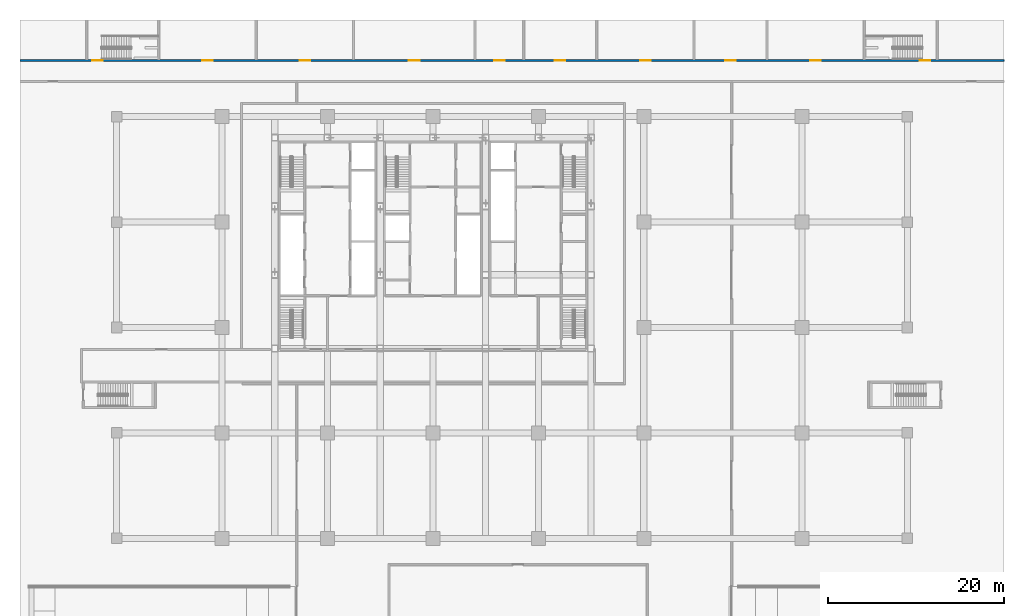
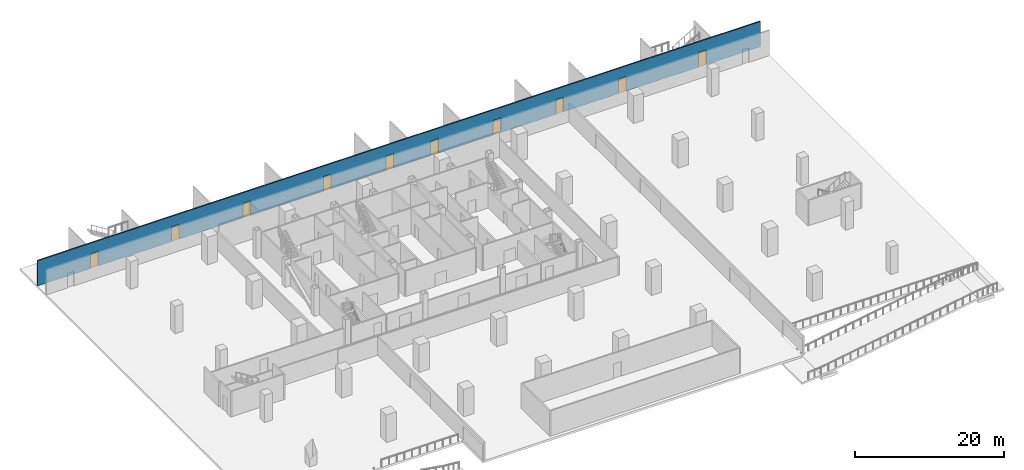
# One storey, part 9 of 15: 10 doors, 1 wall, 10 openings.
"""IFC4 building model written with IfcOpenShell, lengths in metres."""

from ifc_helpers import new_model, si_unit, direction, frame, frame_2d, origin, place, context, subcontext, project, spatial, rectangle, extrude, material, layer, layer_set, type_object, element, fill, save


model = new_model("IFC4")

# Units and contexts
model_context = context("Model", 3, precision=1e-05, world=origin(), true_north=direction((0.0, 1.0)))
body_context = subcontext(model_context, "Body", "Model", "MODEL_VIEW")
ifc_project = project(units=[si_unit("LENGTHUNIT", "METRE"), si_unit("AREAUNIT", "SQUARE_METRE"), si_unit("VOLUMEUNIT", "CUBIC_METRE"), si_unit("PLANEANGLEUNIT", "RADIAN"), si_unit("MASSUNIT", "GRAM", prefix="KILO")], contexts=[model_context])

# Site, building, storey
site_placement = place(None, origin())
site = spatial("IfcSite", under=ifc_project, at=site_placement, CompositionType="ELEMENT")
building_placement = place(site_placement, origin())
building = spatial("IfcBuilding", under=site, at=building_placement, Name="Sorahane Residences", CompositionType="ELEMENT")
storey_placement = place(building_placement, frame((0.0, 0.0, -9.0)))
storey = spatial("IfcBuildingStorey", under=building, at=storey_placement, Name="B2", CompositionType="ELEMENT", Elevation=-9.0)

# Wall, openings, doors
ifc_material_1 = material(Name="Concrete blockwork C20 wall", Category="masonry")
ifc_layer = layer(ifc_material_1, 0.199951171875)
ifc_layer_set = layer_set([ifc_layer], Name="Fire wall 200 EI 120")
wall_type = type_object("IfcWallType", Name="Fire wall 200 EI 120", PredefinedType="SOLIDWALL", material=ifc_layer_set)
wall_placement = place(storey_placement, frame((-23.0, 54.39990234375, 0.0), z_axis=(0.0, 0.0, 1.0), x_axis=(1.0, 0.0, 0.0)))
wall = element("IfcWall", 1, at=wall_placement, inside=storey, type_object=wall_type, Name="B2 fire wall", PredefinedType="SOLIDWALL", context=body_context, shape_type="SweptSolid", body=[
    extrude(rectangle(XDim=112.0, YDim=0.199951171875, at=frame_2d((56.0, 0.0))), origin(), (0.0, 0.0, 1.0), 4.139892578125),
])
opening_1_placement = place(wall_placement, frame((20.73779296875, 0.0, 0.0)))
opening_1 = element("IfcOpeningElement", 2, at=opening_1_placement, cuts=wall, Name="Opening B2-01", PredefinedType="OPENING", context=body_context, shape_type="SweptSolid", body=[
    extrude(rectangle(XDim=1.199951171875, YDim=2.39990234375, at=frame_2d((0.60009765625, 1.199951171875))), frame((0.0, 0.10986328125, 0.0), z_axis=(0.0, -1.0, 0.0), x_axis=(1.0, 0.0, 0.0)), (0.0, 0.0, 1.0), 0.219970703125),
])
opening_2_placement = place(wall_placement, frame((31.813720703125, 0.0, 0.0)))
opening_2 = element("IfcOpeningElement", 3, at=opening_2_placement, cuts=wall, Name="Opening B2-02", PredefinedType="OPENING", context=body_context, shape_type="SweptSolid", body=[
    extrude(rectangle(XDim=1.199951171875, YDim=2.39990234375, at=frame_2d((0.60009765625, 1.199951171875))), frame((0.0, 0.10986328125, 0.0), z_axis=(0.0, -1.0, 0.0), x_axis=(1.0, 0.0, 0.0)), (0.0, 0.0, 1.0), 0.219970703125),
])
opening_3_placement = place(wall_placement, frame((44.274169921875, 0.0, 0.0)))
opening_3 = element("IfcOpeningElement", 4, at=opening_3_placement, cuts=wall, Name="Opening B2-03", PredefinedType="OPENING", context=body_context, shape_type="SweptSolid", body=[
    extrude(rectangle(XDim=1.199951171875, YDim=2.39990234375, at=frame_2d((0.60009765625, 1.199951171875))), frame((0.0, 0.10986328125, 0.0), z_axis=(0.0, -1.0, 0.0), x_axis=(1.0, 0.0, 0.0)), (0.0, 0.0, 1.0), 0.219970703125),
])
opening_4_placement = place(wall_placement, frame((53.965576171875, 0.0, 0.0)))
opening_4 = element("IfcOpeningElement", 5, at=opening_4_placement, cuts=wall, Name="Opening B2-04", PredefinedType="OPENING", context=body_context, shape_type="SweptSolid", body=[
    extrude(rectangle(XDim=1.199951171875, YDim=2.39990234375, at=frame_2d((0.60009765625, 1.199951171875))), frame((0.0, 0.10986328125, 0.0), z_axis=(0.0, -1.0, 0.0), x_axis=(1.0, 0.0, 0.0)), (0.0, 0.0, 1.0), 0.219970703125),
])
opening_5_placement = place(wall_placement, frame((60.887939453125, 0.0, 0.0)))
opening_5 = element("IfcOpeningElement", 6, at=opening_5_placement, cuts=wall, Name="Opening B2-05", PredefinedType="OPENING", context=body_context, shape_type="SweptSolid", body=[
    extrude(rectangle(XDim=1.199951171875, YDim=2.39990234375, at=frame_2d((0.60009765625, 1.199951171875))), frame((0.0, 0.10986328125, 0.0), z_axis=(0.0, -1.0, 0.0), x_axis=(1.0, 0.0, 0.0)), (0.0, 0.0, 1.0), 0.219970703125),
])
opening_6_placement = place(wall_placement, frame((70.579345703125, 0.0, 0.0)))
opening_6 = element("IfcOpeningElement", 7, at=opening_6_placement, cuts=wall, Name="Opening B2-06", PredefinedType="OPENING", context=body_context, shape_type="SweptSolid", body=[
    extrude(rectangle(XDim=1.199951171875, YDim=2.39990234375, at=frame_2d((0.60009765625, 1.199951171875))), frame((0.0, 0.10986328125, 0.0), z_axis=(0.0, -1.0, 0.0), x_axis=(1.0, 0.0, 0.0)), (0.0, 0.0, 1.0), 0.219970703125),
])
opening_7_placement = place(wall_placement, frame((80.270751953125, 0.0, 0.0)))
opening_7 = element("IfcOpeningElement", 8, at=opening_7_placement, cuts=wall, Name="Opening B2-07", PredefinedType="OPENING", context=body_context, shape_type="SweptSolid", body=[
    extrude(rectangle(XDim=1.199951171875, YDim=2.39990234375, at=frame_2d((0.60009765625, 1.199951171875))), frame((0.0, 0.10986328125, 0.0), z_axis=(0.0, -1.0, 0.0), x_axis=(1.0, 0.0, 0.0)), (0.0, 0.0, 1.0), 0.219970703125),
])
opening_8_placement = place(wall_placement, frame((89.962158203125, 0.0, 0.0)))
opening_8 = element("IfcOpeningElement", 9, at=opening_8_placement, cuts=wall, Name="Opening B2-08", PredefinedType="OPENING", context=body_context, shape_type="SweptSolid", body=[
    extrude(rectangle(XDim=1.199951171875, YDim=2.39990234375, at=frame_2d((0.60009765625, 1.199951171875))), frame((0.0, 0.10986328125, 0.0), z_axis=(0.0, -1.0, 0.0), x_axis=(1.0, 0.0, 0.0)), (0.0, 0.0, 1.0), 0.219970703125),
])
opening_9_placement = place(wall_placement, frame((8.199951171875, 0.0, 0.0)))
opening_9 = element("IfcOpeningElement", 10, at=opening_9_placement, cuts=wall, Name="Opening B2-09", PredefinedType="OPENING", context=body_context, shape_type="SweptSolid", body=[
    extrude(rectangle(XDim=1.199951171875, YDim=2.39990234375, at=frame_2d((0.60009765625, 1.199951171875))), frame((0.0, 0.10986328125, 0.0), z_axis=(0.0, -1.0, 0.0), x_axis=(1.0, 0.0, 0.0)), (0.0, 0.0, 1.0), 0.219970703125),
])
opening_10_placement = place(wall_placement, frame((102.39990234375, 0.0, 0.0)))
opening_10 = element("IfcOpeningElement", 11, at=opening_10_placement, cuts=wall, Name="Opening B2-10", PredefinedType="OPENING", context=body_context, shape_type="SweptSolid", body=[
    extrude(rectangle(XDim=1.199951171875, YDim=2.39990234375, at=frame_2d((0.60009765625, 1.199951171875))), frame((0.0, 0.10986328125, 0.0), z_axis=(0.0, -1.0, 0.0), x_axis=(1.0, 0.0, 0.0)), (0.0, 0.0, 1.0), 0.219970703125),
])
ifc_material_2 = material(Name="Steel", Category="steel")
door_type_1 = type_object("IfcDoorType", Name="Plant door 1200x2400 FD60", OperationType="NOTDEFINED", PredefinedType="DOOR", material=ifc_material_2)
door_1_placement = place(opening_1_placement, origin())
door_1 = element("IfcDoor", 12, at=door_1_placement, inside=storey, type_object=door_type_1, Name="Plant door B2-01", OperationType="SINGLE_SWING_LEFT", OverallHeight=2.39990234375, OverallWidth=1.199951171875, PredefinedType="DOOR", context=body_context, shape_type="SweptSolid", body=[
    extrude(rectangle(XDim=1.199951171875, YDim=2.39990234375, at=frame_2d((0.60009765625, 1.199951171875))), frame((0.0, 0.02490234375, 0.0), z_axis=(0.0, -1.0, 0.0), x_axis=(1.0, 0.0, 0.0)), (0.0, 0.0, 1.0), 0.050048828125),
])
fill(opening_1, door_1)
door_2_placement = place(opening_2_placement, origin())
door_2 = element("IfcDoor", 13, at=door_2_placement, inside=storey, type_object=door_type_1, Name="Plant door B2-02", OperationType="SINGLE_SWING_RIGHT", OverallHeight=2.39990234375, OverallWidth=1.199951171875, PredefinedType="DOOR", context=body_context, shape_type="SweptSolid", body=[
    extrude(rectangle(XDim=1.199951171875, YDim=2.39990234375, at=frame_2d((0.60009765625, 1.199951171875))), frame((0.0, 0.02490234375, 0.0), z_axis=(0.0, -1.0, 0.0), x_axis=(1.0, 0.0, 0.0)), (0.0, 0.0, 1.0), 0.050048828125),
])
fill(opening_2, door_2)
door_3_placement = place(opening_3_placement, frame((1.199951171875, 0.0, 0.0), z_axis=(0.0, 0.0, 1.0), x_axis=(-1.0, 0.0, 0.0)))
door_3 = element("IfcDoor", 14, at=door_3_placement, inside=storey, type_object=door_type_1, Name="Plant door B2-03", OperationType="SINGLE_SWING_RIGHT", OverallHeight=2.39990234375, OverallWidth=1.199951171875, PredefinedType="DOOR", context=body_context, shape_type="SweptSolid", body=[
    extrude(rectangle(XDim=1.199951171875, YDim=2.39990234375, at=frame_2d((0.60009765625, 1.199951171875))), frame((0.0, 0.02490234375, 0.0), z_axis=(0.0, -1.0, 0.0), x_axis=(1.0, 0.0, 0.0)), (0.0, 0.0, 1.0), 0.050048828125),
])
fill(opening_3, door_3)
door_4_placement = place(opening_4_placement, frame((1.199951171875, 0.0, 0.0), z_axis=(0.0, 0.0, 1.0), x_axis=(-1.0, 0.0, 0.0)))
door_4 = element("IfcDoor", 15, at=door_4_placement, inside=storey, type_object=door_type_1, Name="Plant door B2-04", OperationType="SINGLE_SWING_LEFT", OverallHeight=2.39990234375, OverallWidth=1.199951171875, PredefinedType="DOOR", context=body_context, shape_type="SweptSolid", body=[
    extrude(rectangle(XDim=1.199951171875, YDim=2.39990234375, at=frame_2d((0.60009765625, 1.199951171875))), frame((0.0, 0.02490234375, 0.0), z_axis=(0.0, -1.0, 0.0), x_axis=(1.0, 0.0, 0.0)), (0.0, 0.0, 1.0), 0.050048828125),
])
fill(opening_4, door_4)
door_5_placement = place(opening_5_placement, origin())
door_5 = element("IfcDoor", 16, at=door_5_placement, inside=storey, type_object=door_type_1, Name="Plant door B2-05", OperationType="SINGLE_SWING_LEFT", OverallHeight=2.39990234375, OverallWidth=1.199951171875, PredefinedType="DOOR", context=body_context, shape_type="SweptSolid", body=[
    extrude(rectangle(XDim=1.199951171875, YDim=2.39990234375, at=frame_2d((0.60009765625, 1.199951171875))), frame((0.0, 0.02490234375, 0.0), z_axis=(0.0, -1.0, 0.0), x_axis=(1.0, 0.0, 0.0)), (0.0, 0.0, 1.0), 0.050048828125),
])
fill(opening_5, door_5)
door_6_placement = place(opening_6_placement, origin())
door_6 = element("IfcDoor", 17, at=door_6_placement, inside=storey, type_object=door_type_1, Name="Plant door B2-06", OperationType="SINGLE_SWING_RIGHT", OverallHeight=2.39990234375, OverallWidth=1.199951171875, PredefinedType="DOOR", context=body_context, shape_type="SweptSolid", body=[
    extrude(rectangle(XDim=1.199951171875, YDim=2.39990234375, at=frame_2d((0.60009765625, 1.199951171875))), frame((0.0, 0.02490234375, 0.0), z_axis=(0.0, -1.0, 0.0), x_axis=(1.0, 0.0, 0.0)), (0.0, 0.0, 1.0), 0.050048828125),
])
fill(opening_6, door_6)
door_7_placement = place(opening_7_placement, frame((1.199951171875, 0.0, 0.0), z_axis=(0.0, 0.0, 1.0), x_axis=(-1.0, 0.0, 0.0)))
door_7 = element("IfcDoor", 18, at=door_7_placement, inside=storey, type_object=door_type_1, Name="Plant door B2-07", OperationType="SINGLE_SWING_RIGHT", OverallHeight=2.39990234375, OverallWidth=1.199951171875, PredefinedType="DOOR", context=body_context, shape_type="SweptSolid", body=[
    extrude(rectangle(XDim=1.199951171875, YDim=2.39990234375, at=frame_2d((0.60009765625, 1.199951171875))), frame((0.0, 0.02490234375, 0.0), z_axis=(0.0, -1.0, 0.0), x_axis=(1.0, 0.0, 0.0)), (0.0, 0.0, 1.0), 0.050048828125),
])
fill(opening_7, door_7)
door_8_placement = place(opening_8_placement, frame((1.199951171875, 0.0, 0.0), z_axis=(0.0, 0.0, 1.0), x_axis=(-1.0, 0.0, 0.0)))
door_8 = element("IfcDoor", 19, at=door_8_placement, inside=storey, type_object=door_type_1, Name="Plant door B2-08", OperationType="SINGLE_SWING_LEFT", OverallHeight=2.39990234375, OverallWidth=1.199951171875, PredefinedType="DOOR", context=body_context, shape_type="SweptSolid", body=[
    extrude(rectangle(XDim=1.199951171875, YDim=2.39990234375, at=frame_2d((0.60009765625, 1.199951171875))), frame((0.0, 0.02490234375, 0.0), z_axis=(0.0, -1.0, 0.0), x_axis=(1.0, 0.0, 0.0)), (0.0, 0.0, 1.0), 0.050048828125),
])
fill(opening_8, door_8)
ifc_material_3 = material(Name="Steel", Category="steel")
door_type_2 = type_object("IfcDoorType", Name="Stair door 1200x2400 FD60", OperationType="NOTDEFINED", PredefinedType="DOOR", material=ifc_material_3)
door_9_placement = place(opening_9_placement, frame((1.199951171875, 0.0, 0.0), z_axis=(0.0, 0.0, 1.0), x_axis=(-1.0, 0.0, 0.0)))
door_9 = element("IfcDoor", 20, at=door_9_placement, inside=storey, type_object=door_type_2, Name="Stair door B2-09", OperationType="SINGLE_SWING_RIGHT", OverallHeight=2.39990234375, OverallWidth=1.199951171875, PredefinedType="DOOR", context=body_context, shape_type="SweptSolid", body=[
    extrude(rectangle(XDim=1.199951171875, YDim=2.39990234375, at=frame_2d((0.60009765625, 1.199951171875))), frame((0.0, 0.02490234375, 0.0), z_axis=(0.0, -1.0, 0.0), x_axis=(1.0, 0.0, 0.0)), (0.0, 0.0, 1.0), 0.050048828125),
])
fill(opening_9, door_9)
door_10_placement = place(opening_10_placement, frame((1.199951171875, 0.0, 0.0), z_axis=(0.0, 0.0, 1.0), x_axis=(-1.0, 0.0, 0.0)))
door_10 = element("IfcDoor", 21, at=door_10_placement, inside=storey, type_object=door_type_2, Name="Stair door B2-10", OperationType="SINGLE_SWING_LEFT", OverallHeight=2.39990234375, OverallWidth=1.199951171875, PredefinedType="DOOR", context=body_context, shape_type="SweptSolid", body=[
    extrude(rectangle(XDim=1.199951171875, YDim=2.39990234375, at=frame_2d((0.60009765625, 1.199951171875))), frame((0.0, 0.02490234375, 0.0), z_axis=(0.0, -1.0, 0.0), x_axis=(1.0, 0.0, 0.0)), (0.0, 0.0, 1.0), 0.050048828125),
])
fill(opening_10, door_10)

save(model, "model.ifc")
